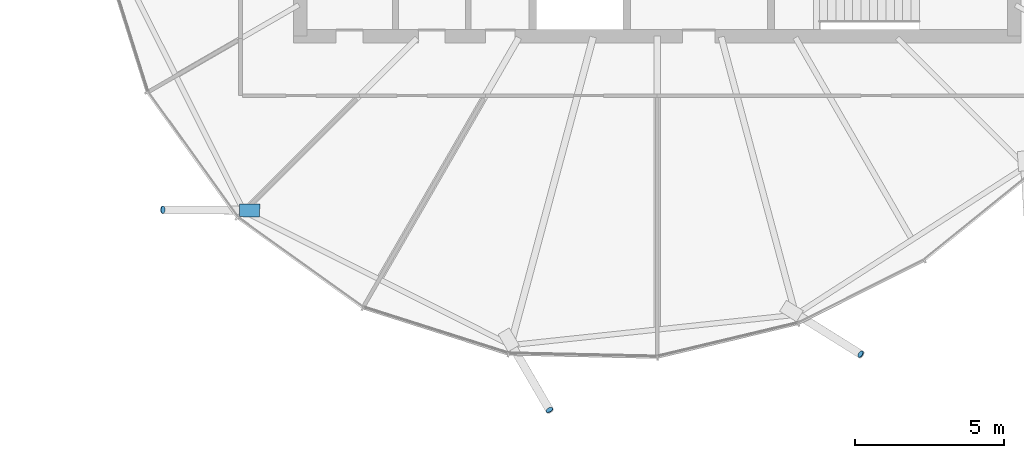
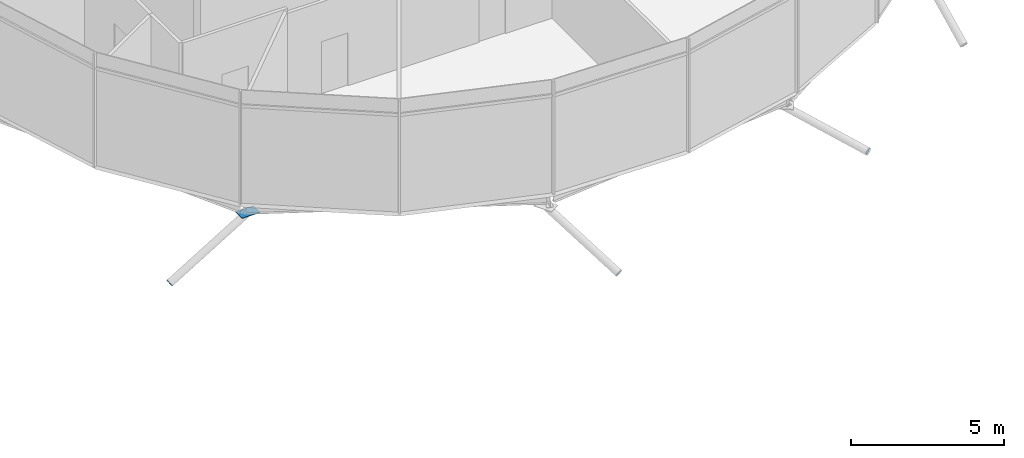
# One storey, part 26 of 31: 4 discrete accessories.
"""IFC4 building model written with IfcOpenShell, lengths in metres."""

from ifc_helpers import new_model, si_unit, direction, frame, origin, origin_2d, place, context, subcontext, project, spatial, polyline, rectangle, circle, outline, extrude, material, material_profile, profile_set, type_object, element, save


model = new_model("IFC4")

# Units and contexts
model_context = context("Model", 3, precision=1e-05, world=origin(), true_north=direction((0.0, 1.0)))
body_context = subcontext(model_context, "Body", "Model", "MODEL_VIEW")
ifc_project = project(units=[si_unit("LENGTHUNIT", "METRE"), si_unit("AREAUNIT", "SQUARE_METRE"), si_unit("VOLUMEUNIT", "CUBIC_METRE"), si_unit("PLANEANGLEUNIT", "RADIAN"), si_unit("MASSUNIT", "GRAM", prefix="KILO")], contexts=[model_context])

# Site, building, storey
site_placement = place(None, origin())
site = spatial("IfcSite", under=ifc_project, at=site_placement, CompositionType="ELEMENT")
building_placement = place(site_placement, origin())
building = spatial("IfcBuilding", under=site, at=building_placement, Name="Rimbun Link Towers", CompositionType="ELEMENT")
storey_placement = place(building_placement, frame((0.0, 0.0, 263.10009765625)))
storey = spatial("IfcBuildingStorey", under=building, at=storey_placement, Name="L64", CompositionType="ELEMENT", Elevation=263.10009765625)

# Discrete accessories
ifc_material_1 = material(Name="Steel S355J2H", Category="steel")
ifc_material_profile_1 = material_profile(ifc_material_1, circle(Radius=0.1240234375, at=origin_2d()), Name="PL D248")
ifc_profile_set_1 = profile_set([ifc_material_profile_1], Name="Steel S355J2H")
discrete_accessory_type_1 = type_object("IfcDiscreteAccessoryType", Name="Link foot sealing plate D248X20", PredefinedType="BRACKET", material=ifc_profile_set_1)
discrete_accessory_1_placement = place(storey_placement, frame((15.143310546875, -13.8369140625, -2.439453125), z_axis=(-0.848688585215, 0.0, -0.528892886439), x_axis=(0.0, -1.0, 0.0)))
element("IfcDiscreteAccessory", 1, at=discrete_accessory_1_placement, inside=storey, type_object=discrete_accessory_type_1, Name="Link foot sealing plate T2 L64 12", PredefinedType="BRACKET", context=body_context, shape_type="SweptSolid", body=[
    extrude(circle(Radius=0.1240234375, at=origin_2d()), origin(), (0.0, 0.0, 1.0), 0.019775390625),
])
for number, where, z_axis, x_axis, name in (
    (2, (28.127685546875, -20.5595703125, -2.50634765625), (0.42565974094, -0.72970241304, -0.535115102896), (0.863778900898, 0.503871025524, 0.0), "Link foot sealing plate T2 L64 14"),
    (3, (38.579833984375, -18.68408203125, -2.467041015625), (0.716217756717, -0.44915350845, -0.534128496535), (0.531289037377, 0.847190627169, 0.0), "Link foot sealing plate T2 L64 16"),
):
    element("IfcDiscreteAccessory", number, at=place(storey_placement, frame(where, z_axis=z_axis, x_axis=x_axis)), inside=storey, type_object=discrete_accessory_type_1, Name=name, PredefinedType="BRACKET", context=body_context, shape_type="SweptSolid", body=[
        extrude(circle(Radius=0.1240234375, at=origin_2d()), origin(), (0.0, 0.0, 1.0), 0.02001953125),
    ])
ifc_material_2 = material(Name="Steel S355J2H", Category="steel")
ifc_material_profile_2 = material_profile(ifc_material_2, rectangle(XDim=0.43310546875, YDim=0.43310546875, at=origin_2d()), Name="PL 433x433")
ifc_profile_set_2 = profile_set([ifc_material_profile_2], Name="Steel S355J2H")
discrete_accessory_type_2 = type_object("IfcDiscreteAccessoryType", Name="Link head end plate 433X20", PredefinedType="BRACKET", material=ifc_profile_set_2)
discrete_accessory_2_placement = place(storey_placement, frame((0.0, 0.0, -0.653564453125)))
element("IfcDiscreteAccessory", 4, at=discrete_accessory_2_placement, inside=storey, type_object=discrete_accessory_type_2, Name="Link head end plate T2 L64 12", PredefinedType="BRACKET", context=body_context, shape_type="SweptSolid", body=[
    extrude(outline(polyline([(18.39501953125, -13.640625), (17.71337890625, -13.636474609375), (17.710693359375, -14.0693359375), (18.392333984375, -14.07373046875), (18.39501953125, -13.640625)])), origin(), (0.0, 0.0, 1.0), 0.02001953125),
])

save(model, "model.ifc")
